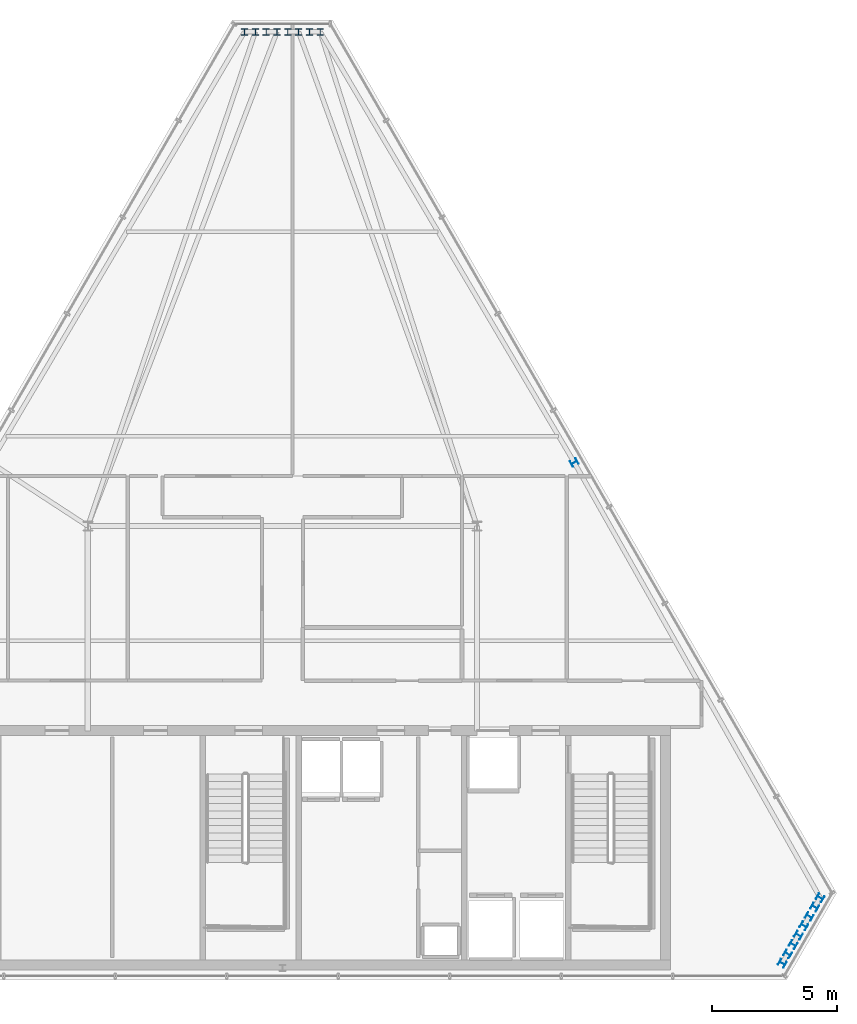
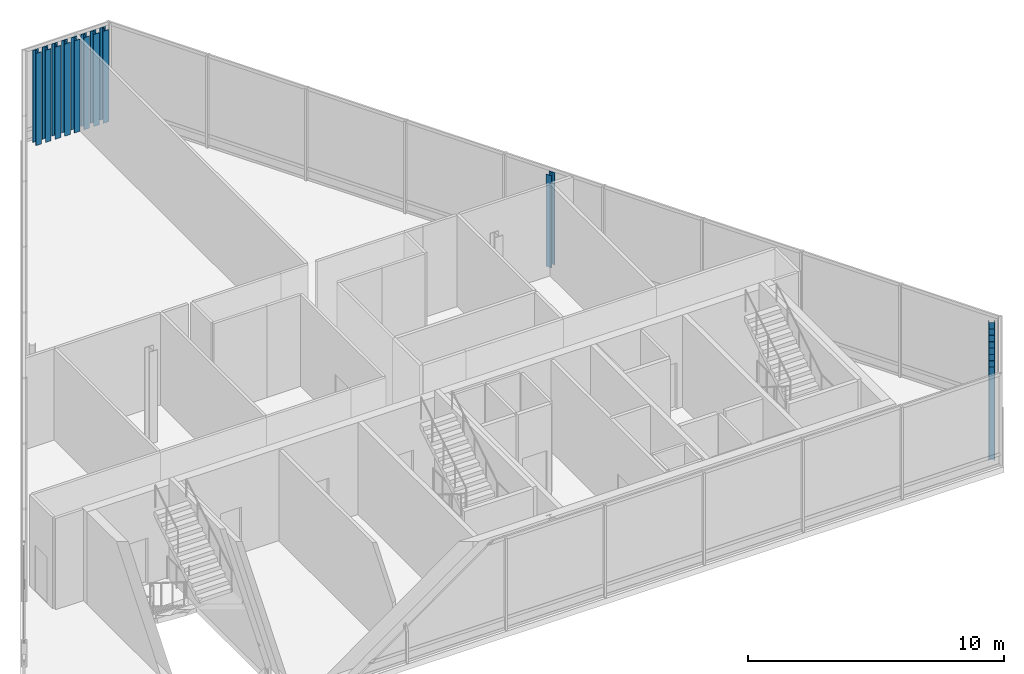
# One storey, part 2 of 25: 17 columns.
"""IFC4 building model written with IfcOpenShell, lengths in metres."""

import ifcopenshell
import ifcopenshell.guid

model = None  # the IFC model being written
_history = None  # IfcOwnerHistory: only IFC2X3 demands one
_inside = {}  # id of a spatial element -> (the spatial element, [elements in it])
_under = {}  # id of a project, library or spatial element -> (it, [spatial elements below it])
_declared = {}  # id of a project -> (the project, [libraries it declares])
_typed = {}  # id of a type object -> (the type object, [elements of that type])
_made_of = {}  # id of a material, layer set ... -> (it, [elements and type objects made of it])


def new_model(schema):
    """Start an empty IFC model of exactly this schema.

    Asked for "IFC4X3", IfcOpenShell would pick the latest addendum, in which some entities
    have other attributes; the version numbers below select the first issue.
    IFC2X3 requires an IfcOwnerHistory on every rooted entity: one is made here for all.
    """
    global model, _history
    if schema == "IFC4X3":
        model = ifcopenshell.file(schema_version=(4, 3, 0, 0))
    else:
        model = ifcopenshell.file(schema=schema)
    _inside.clear()
    _under.clear()
    _declared.clear()
    _typed.clear()
    _made_of.clear()
    _history = None
    if model.schema == "IFC2X3":
        org = make("IfcOrganization", Name="unknown")
        user = make(
            "IfcPersonAndOrganization",
            ThePerson=make("IfcPerson", FamilyName="unknown"),
            TheOrganization=org,
        )
        app = make(
            "IfcApplication",
            ApplicationDeveloper=org,
            Version="unknown",
            ApplicationFullName="unknown",
            ApplicationIdentifier="unknown",
        )
        _history = make(
            "IfcOwnerHistory",
            OwningUser=user,
            OwningApplication=app,
            ChangeAction="ADDED",
            CreationDate=0,
        )
    return model


def make(cls, **values):
    """One entity of the class cls with the attributes given. An attribute that is None is left unset."""
    return model.create_entity(
        cls, **{name: value for name, value in values.items() if value is not None}
    )


def rooted(cls, **values):
    """An entity with a GlobalId (a new one), such as an element, a storey or a relation."""
    return make(cls, GlobalId=ifcopenshell.guid.new(), OwnerHistory=_history, **values)


def si_unit(unit_type, name, prefix=None):
    """IfcSIUnit, for example si_unit("LENGTHUNIT", "METRE", prefix="MILLI")."""
    return make("IfcSIUnit", UnitType=unit_type, Prefix=prefix, Name=name)


def assignment(units):
    """IfcUnitAssignment: the units of a project."""
    return None if units is None else make("IfcUnitAssignment", Units=units)


def point(xyz):
    """IfcCartesianPoint."""
    return None if xyz is None else make("IfcCartesianPoint", Coordinates=xyz)


def direction(xyz):
    """IfcDirection."""
    return None if xyz is None else make("IfcDirection", DirectionRatios=xyz)


def frame(location, z_axis=None, x_axis=None):
    """IfcAxis2Placement3D, a coordinate frame: its origin and axes. An axis left out is left unset."""
    return make(
        "IfcAxis2Placement3D",
        Location=point(location),
        Axis=direction(z_axis),
        RefDirection=direction(x_axis),
    )


def frame_2d(location, x_axis=None):
    """IfcAxis2Placement2D, a coordinate frame in the plane: its origin and x axis."""
    return make(
        "IfcAxis2Placement2D", Location=point(location), RefDirection=direction(x_axis)
    )


def origin():
    """The frame at (0, 0, 0) with its axes left unset."""
    return frame((0.0, 0.0, 0.0))


def origin_2d():
    """The frame at (0, 0) in the plane with its x axis left unset."""
    return frame_2d((0.0, 0.0))


def place(relative_to, where):
    """IfcLocalPlacement: puts the frame where relative to a parent placement (None: the world)."""
    return make(
        "IfcLocalPlacement", PlacementRelTo=relative_to, RelativePlacement=where
    )


def context(
    kind, dimensions, precision=None, world=None, true_north=None, identifier=None
):
    """IfcGeometricRepresentationContext, for example the 3D "Model" context."""
    return make(
        "IfcGeometricRepresentationContext",
        ContextIdentifier=identifier,
        ContextType=kind,
        CoordinateSpaceDimension=dimensions,
        Precision=precision,
        WorldCoordinateSystem=world,
        TrueNorth=true_north,
    )


def subcontext(parent, identifier, kind, view, scale=None):
    """IfcGeometricRepresentationSubContext, for example "Body" below "Model"."""
    return make(
        "IfcGeometricRepresentationSubContext",
        ContextIdentifier=identifier,
        ContextType=kind,
        ParentContext=parent,
        TargetScale=scale,
        TargetView=view,
    )


def project(units=None, contexts=None):
    """IfcProject with its units and contexts."""
    return rooted(
        "IfcProject",
        Name="project",
        RepresentationContexts=contexts,
        UnitsInContext=assignment(units),
    )


def spatial(cls, under=None, at=None, **own):
    """A site, building, storey or space (cls), placed at a placement, below another one or the project."""
    s = rooted(cls, ObjectPlacement=at, **own)
    if under is not None:
        _under.setdefault(under.id(), (under, []))[1].append(s)
    return s


def profile(cls, at=None, kind="AREA", **sizes):
    """A parametric profile (cls). Its sizes go by their IFC names, for example OverallWidth=200.0."""
    return make(cls, ProfileType=kind, Position=at, **sizes)


def i_section(**sizes):
    """IfcIShapeProfileDef."""
    return profile("IfcIShapeProfileDef", **sizes)


def extrude(swept, where, along, depth):
    """IfcExtrudedAreaSolid: the profile swept, set in the frame where, extruded along a direction by depth."""
    return make(
        "IfcExtrudedAreaSolid",
        SweptArea=swept,
        Position=where,
        ExtrudedDirection=direction(along),
        Depth=depth,
    )


def shape(context_of_items, identifier, shape_type, items):
    """IfcShapeRepresentation: the items that make up one representation, for example the "Body"."""
    return make(
        "IfcShapeRepresentation",
        ContextOfItems=context_of_items,
        RepresentationIdentifier=identifier,
        RepresentationType=shape_type,
        Items=items,
    )


def material(Name=None, Category=None):
    """IfcMaterial."""
    return make("IfcMaterial", Name=Name, Category=Category)


def material_profile(
    of_material, cross_section, Name=None, Category=None, Priority=None
):
    """IfcMaterialProfile: a cross section and its material."""
    return make(
        "IfcMaterialProfile",
        Name=Name,
        Material=of_material,
        Profile=cross_section,
        Priority=Priority,
        Category=Category,
    )


def profile_set(profiles, Name=None, composite=None):
    """IfcMaterialProfileSet."""
    return make(
        "IfcMaterialProfileSet",
        Name=Name,
        MaterialProfiles=profiles,
        CompositeProfile=composite,
    )


def made_of(thing, what):
    """Note that an element or type object is made of a material, layer set ...; save() writes the relation."""
    if what is not None:
        _made_of.setdefault(what.id(), (what, []))[1].append(thing)
    return thing


def type_object(cls, material=None, **own):
    """A type object (cls), such as IfcWallType, which elements share."""
    return made_of(rooted(cls, **own), material)


def element(
    cls,
    number,
    at=None,
    inside=None,
    cuts=None,
    type_object=None,
    material=None,
    context=None,
    identifier="Body",
    shape_type=None,
    held_by="IfcProductDefinitionShape",
    body=None,
    shapes=None,
    **own,
):
    """One element of the class cls, such as IfcWall. Its Tag is "e" and its number.

    at: its placement. inside: the storey or other place that contains it. cuts: it is an
    opening in that element (IfcRelVoidsElement). A single representation is given by context,
    identifier, shape_type and body (its items); several are given by shapes. held_by: the class
    of the entity that holds the representations. save() writes the other relations.
    """
    e = rooted(cls, Tag="e%d" % number, ObjectPlacement=at, **own)
    if body is not None:
        shapes = [shape(context, identifier, shape_type, body)]
    if shapes is not None:
        e.Representation = make(held_by, Representations=shapes)
    if inside is not None:
        _inside.setdefault(inside.id(), (inside, []))[1].append(e)
    if cuts is not None:
        rooted(
            "IfcRelVoidsElement", RelatingBuildingElement=cuts, RelatedOpeningElement=e
        )
    if type_object is not None:
        _typed.setdefault(type_object.id(), (type_object, []))[1].append(e)
    return made_of(e, material)


def aggregate(whole, parts):
    """IfcRelAggregates: a whole, such as a stair, and the parts it consists of."""
    return rooted("IfcRelAggregates", RelatingObject=whole, RelatedObjects=parts)


def save(model, path):
    """Write the relations noted so far, then the file.

    IfcRelAggregates (storeys below a building ...), IfcRelContainedInSpatialStructure (elements
    in a storey), IfcRelDefinesByType, IfcRelAssociatesMaterial and IfcRelDeclares: one each for
    every whole, place, type object, material and project.
    """
    for whole, parts in _under.values():
        aggregate(whole, parts)
    for where, things in _inside.values():
        rooted(
            "IfcRelContainedInSpatialStructure",
            RelatedElements=things,
            RelatingStructure=where,
        )
    for kind, things in _typed.values():
        rooted("IfcRelDefinesByType", RelatedObjects=things, RelatingType=kind)
    for what, things in _made_of.values():
        rooted("IfcRelAssociatesMaterial", RelatedObjects=things, RelatingMaterial=what)
    for by, libraries in _declared.values():
        rooted("IfcRelDeclares", RelatingContext=by, RelatedDefinitions=libraries)
    model.write(path)


model = new_model("IFC4")

# Units and contexts
model_context = context("Model", 3, precision=1e-05, world=origin(), true_north=direction((0.0, 1.0)))
body_context = subcontext(model_context, "Body", "Model", "MODEL_VIEW")
ifc_project = project(units=[si_unit("LENGTHUNIT", "METRE"), si_unit("AREAUNIT", "SQUARE_METRE"), si_unit("VOLUMEUNIT", "CUBIC_METRE"), si_unit("PLANEANGLEUNIT", "RADIAN"), si_unit("MASSUNIT", "GRAM", prefix="KILO")], contexts=[model_context])

# Site, building, storey
site_placement = place(None, origin())
site = spatial("IfcSite", under=ifc_project, at=site_placement, CompositionType="ELEMENT")
building_placement = place(site_placement, origin())
building = spatial("IfcBuilding", under=site, at=building_placement, Name="Ndaravel Arena Tower", CompositionType="ELEMENT")
storey_placement = place(building_placement, frame((0.0, 0.0, 303.300048828125)))
storey = spatial("IfcBuildingStorey", under=building, at=storey_placement, Name="L74", CompositionType="ELEMENT", Elevation=303.300048828125)

# Columns
ifc_material = material(Name="Steel S355", Category="steel")
ifc_material_profile = material_profile(ifc_material, i_section(OverallWidth=0.2587890625, OverallDepth=0.2666015625, WebThickness=0.0126953125, FlangeThickness=0.0205078125, FilletRadius=0.0126953125, at=origin_2d()), Name="UC 254x254x107")
ifc_profile_set = profile_set([ifc_material_profile], Name="Steel S355")
column_type = type_object("IfcColumnType", Name="COL-CRN-UC107", PredefinedType="COLUMN", material=ifc_profile_set)
for number, where, z_axis, x_axis, name in (
    (1, (62.038818359375, 5.667724609375, 0.0), (0.0, 0.0, 1.0), (0.5, 0.866025403784, 0.0), "L74 Framed Tube Column TC-02"),
    (2, (62.255615234375, 6.04345703125, 0.0), (0.0, 0.0, 1.0), (0.5, 0.866025403784, 0.0), "L74 Framed Tube Column TC-03"),
    (3, (62.472412109375, 6.419189453125, 0.0), (0.0, 0.0, 1.0), (0.5, 0.866025403784, 0.0), "L74 Framed Tube Column TC-04"),
    (4, (62.689453125, 6.794921875, 0.0), (0.0, 0.0, 1.0), (0.5, 0.866025403784, 0.0), "L74 Framed Tube Column TC-05"),
    (5, (62.90625, 7.17041015625, 0.0), (0.0, 0.0, 1.0), (0.5, 0.866025403784, 0.0), "L74 Framed Tube Column TC-06"),
    (6, (63.123046875, 7.546142578125, 0.0), (0.0, 0.0, 1.0), (0.5, 0.866025403784, 0.0), "L74 Framed Tube Column TC-07"),
    (7, (63.340087890625, 7.921630859375, 0.0), (0.0, 0.0, 1.0), (0.5, 0.866025403784, 0.0), "L74 Framed Tube Column TC-08"),
    (8, (63.556884765625, 8.29736328125, 0.0), (0.0, 0.0, 1.0), (0.5, 0.866025403784, 0.0), "L74 Framed Tube Column TC-09"),
    (9, (53.7001953125, 25.745361328125, 0.0), (0.0, 0.0, 1.0), (-0.5, 0.866025403784, 0.0), "L74 Framed Tube Column TC-10"),
    (10, (43.518310546875, 43.00537109375, 0.0), (0.0, 0.0, 1.0), (1.0, 0.0, 0.0), "L74 Framed Tube Column TC-11"),
    (11, (43.08447265625, 43.00537109375, 0.0), (0.0, 0.0, 1.0), (1.0, 0.0, 0.0), "L74 Framed Tube Column TC-12"),
    (12, (42.650634765625, 43.00537109375, 0.0), (0.0, 0.0, 1.0), (1.0, 0.0, 0.0), "L74 Framed Tube Column TC-13"),
    (13, (42.216796875, 43.00537109375, 0.0), (0.0, 0.0, 1.0), (1.0, 0.0, 0.0), "L74 Framed Tube Column TC-14"),
    (14, (41.783203125, 43.00537109375, 0.0), (0.0, 0.0, 1.0), (1.0, 0.0, 0.0), "L74 Framed Tube Column TC-15"),
    (15, (41.349365234375, 43.00537109375, 0.0), (0.0, 0.0, 1.0), (1.0, 0.0, 0.0), "L74 Framed Tube Column TC-16"),
    (16, (40.91552734375, 43.00537109375, 0.0), (0.0, 0.0, 1.0), (1.0, 0.0, 0.0), "L74 Framed Tube Column TC-17"),
    (17, (40.481689453125, 43.00537109375, 0.0), (0.0, 0.0, 1.0), (1.0, 0.0, 0.0), "L74 Framed Tube Column TC-18"),
):
    element("IfcColumn", number, at=place(storey_placement, frame(where, z_axis=z_axis, x_axis=x_axis)), inside=storey, type_object=column_type, Name=name, PredefinedType="COLUMN", context=body_context, shape_type="SweptSolid", body=[
        extrude(i_section(OverallWidth=0.2587890625, OverallDepth=0.2666015625, WebThickness=0.0126953125, FlangeThickness=0.0205078125, FilletRadius=0.0126953125, at=origin_2d()), origin(), (0.0, 0.0, 1.0), 4.39990234375),
    ])

save(model, "model.ifc")
